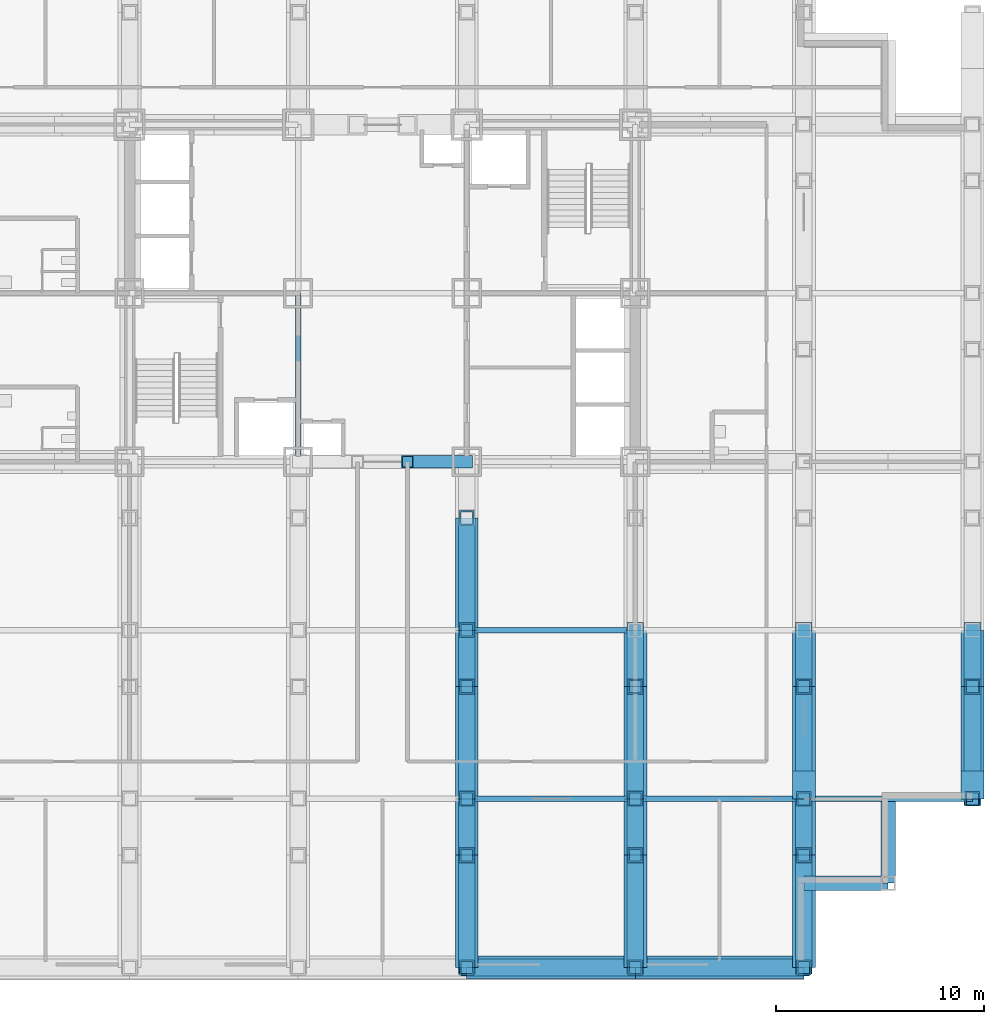
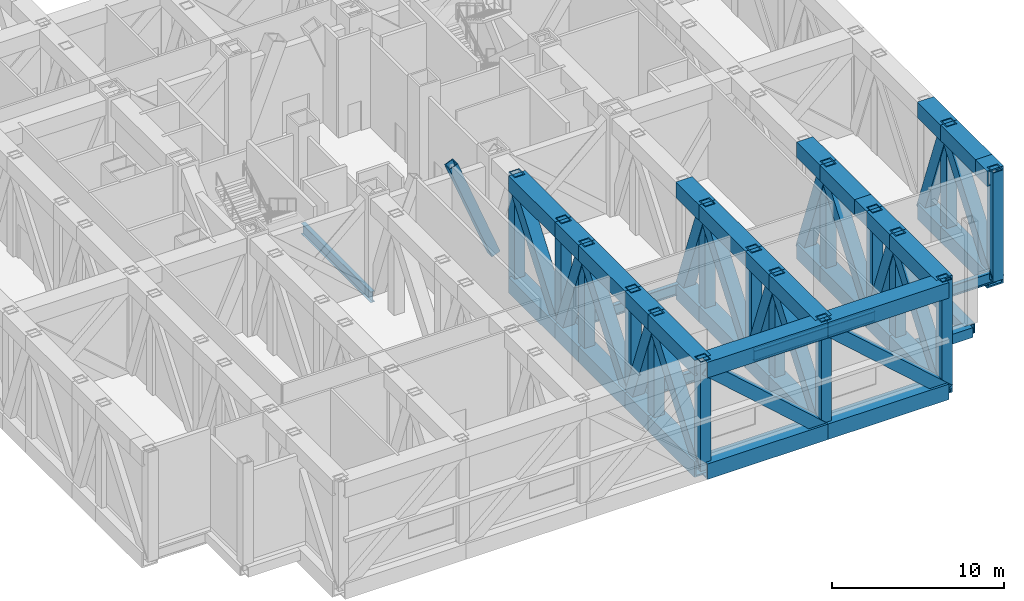
# One storey, part 3 of 13: 70 members, 7 beams.
"""IFC4 building model written with IfcOpenShell, lengths in metres."""

from ifc_helpers import new_model, si_unit, direction, frame, origin, origin_2d, place, context, subcontext, project, spatial, hollow_rectangle, i_section, extrude, material, material_profile, profile_set, type_object, element, save


model = new_model("IFC4")

# Units and contexts
model_context = context("Model", 3, precision=1e-05, world=origin(), true_north=direction((0.0, 1.0)))
body_context = subcontext(model_context, "Body", "Model", "MODEL_VIEW")
ifc_project = project(units=[si_unit("LENGTHUNIT", "METRE"), si_unit("AREAUNIT", "SQUARE_METRE"), si_unit("VOLUMEUNIT", "CUBIC_METRE"), si_unit("PLANEANGLEUNIT", "RADIAN"), si_unit("MASSUNIT", "GRAM", prefix="KILO")], contexts=[model_context])

# Site, building, storey
site_placement = place(None, origin())
site = spatial("IfcSite", under=ifc_project, at=site_placement, CompositionType="ELEMENT")
building_placement = place(site_placement, origin())
building = spatial("IfcBuilding", under=site, at=building_placement, Name="Kopane Lantern Tower", CompositionType="ELEMENT")
storey_placement = place(building_placement, frame((0.0, 0.0, 90.800048828125)))
storey = spatial("IfcBuildingStorey", under=building, at=storey_placement, Name="L23", CompositionType="ELEMENT", Elevation=90.800048828125)

# Member
ifc_material_1 = material(Name="Steel S355JR", Category="steel")
ifc_material_profile_1 = material_profile(ifc_material_1, hollow_rectangle(XDim=0.60009765625, YDim=0.60009765625, WallThickness=0.050048828125, at=origin_2d()), Name="BOX 600x600x50")
ifc_profile_set_1 = profile_set([ifc_material_profile_1], Name="Steel S355JR")
member_type_1 = type_object("IfcMemberType", Name="BRACE BOX 600x600x50", PredefinedType="BRACE", material=ifc_profile_set_1)
member_1_placement = place(storey_placement, frame((32.39990234375, 24.300048828125, -0.25), z_axis=(-0.368034254187, 0.0, 0.929812232521), x_axis=(0.0, -1.0, 0.0)))
element("IfcMember", 1, at=member_1_placement, inside=storey, type_object=member_type_1, Name="Core brace L23", PredefinedType="BRACE", context=body_context, shape_type="SweptSolid", body=[
    extrude(hollow_rectangle(XDim=0.60009765625, YDim=0.60009765625, WallThickness=0.050048828125, at=origin_2d()), origin(), (0.0, 0.0, 1.0), 7.743408203125),
])

# Beams
ifc_material_2 = material(Name="Steel S355JR", Category="steel")
ifc_material_profile_2 = material_profile(ifc_material_2, i_section(OverallWidth=0.2666015625, OverallDepth=0.76220703125, WebThickness=0.014404296875, FlangeThickness=0.021484375, FilletRadius=0.0166015625, at=origin_2d()), Name="UB 762x267x173")
ifc_profile_set_2 = profile_set([ifc_material_profile_2], Name="Steel S355JR")
beam_type_1 = type_object("IfcBeamType", Name="CORE BEAM UB 762x267x173", PredefinedType="BEAM", material=ifc_profile_set_2)
beam_1_placement = place(storey_placement, frame((24.300048828125, 24.300048828125, -0.631103515625), z_axis=(0.0, 1.0, 0.0), x_axis=(-1.0, 0.0, 0.0)))
element("IfcBeam", 2, at=beam_1_placement, inside=storey, type_object=beam_type_1, Name="Core Beam L23", PredefinedType="BEAM", context=body_context, shape_type="SweptSolid", body=[
    extrude(i_section(OverallWidth=0.2666015625, OverallDepth=0.76220703125, WebThickness=0.014404296875, FlangeThickness=0.021484375, FilletRadius=0.0166015625, at=origin_2d()), origin(), (0.0, 0.0, 1.0), 8.099853515625),
])
ifc_material_3 = material(Name="Steel S355JR", Category="steel")
ifc_material_profile_3 = material_profile(ifc_material_3, hollow_rectangle(XDim=0.699951171875, YDim=0.699951171875, WallThickness=0.06005859375, at=origin_2d()), Name="BOX 700x700x60")
ifc_profile_set_3 = profile_set([ifc_material_profile_3], Name="Steel S355JR")
beam_type_2 = type_object("IfcBeamType", Name="EDGE BEAM BOX 700x700x60", PredefinedType="BEAM", material=ifc_profile_set_3)
beam_2_placement = place(storey_placement, frame((52.64990234375, 4.050048828125, -0.60009765625), z_axis=(-1.0, 0.0, 0.0), x_axis=(0.0, -1.0, 0.0)))
element("IfcBeam", 3, at=beam_2_placement, inside=storey, type_object=beam_type_2, Name="Edge Beam L23", PredefinedType="BEAM", context=body_context, shape_type="SweptSolid", body=[
    extrude(hollow_rectangle(XDim=0.699951171875, YDim=0.699951171875, WallThickness=0.06005859375, at=origin_2d()), origin(), (0.0, 0.0, 1.0), 4.0498046875),
])
beam_3_placement = place(storey_placement, frame((52.64990234375, 4.050048828125, -0.60009765625), z_axis=(0.0, 1.0, 0.0), x_axis=(-1.0, 0.0, 0.0)))
element("IfcBeam", 4, at=beam_3_placement, inside=storey, type_object=beam_type_2, Name="Edge Beam L23", PredefinedType="BEAM", context=body_context, shape_type="SweptSolid", body=[
    extrude(hollow_rectangle(XDim=0.699951171875, YDim=0.699951171875, WallThickness=0.06005859375, at=origin_2d()), origin(), (0.0, 0.0, 1.0), 4.050048828125),
])
ifc_material_4 = material(Name="Steel S355JR", Category="steel")
ifc_material_profile_4 = material_profile(ifc_material_4, i_section(OverallWidth=0.2666015625, OverallDepth=0.76220703125, WebThickness=0.014404296875, FlangeThickness=0.021484375, FilletRadius=0.0166015625, at=origin_2d()), Name="UB 762x267x173")
ifc_profile_set_4 = profile_set([ifc_material_profile_4], Name="Steel S355JR")
beam_type_3 = type_object("IfcBeamType", Name="GIRDER UB 762x267x173", PredefinedType="BEAM", material=ifc_profile_set_4)
for number, where, z_axis, x_axis, name in (
    (5, (32.39990234375, 8.10009765625, -0.631103515625), (1.0, 0.0, 0.0), (0.0, 1.0, 0.0), "Girder L23"),
    (6, (32.39990234375, 16.199951171875, -0.631103515625), (1.0, 0.0, 0.0), (0.0, 1.0, 0.0), "Girder L23"),
    (7, (40.5, 8.10009765625, -0.631103515625), (1.0, 0.0, 0.0), (0.0, 1.0, 0.0), "Girder L23"),
):
    element("IfcBeam", number, at=place(storey_placement, frame(where, z_axis=z_axis, x_axis=x_axis)), inside=storey, type_object=beam_type_3, Name=name, PredefinedType="BEAM", context=body_context, shape_type="SweptSolid", body=[
        extrude(i_section(OverallWidth=0.2666015625, OverallDepth=0.76220703125, WebThickness=0.014404296875, FlangeThickness=0.021484375, FilletRadius=0.0166015625, at=origin_2d()), origin(), (0.0, 0.0, 1.0), 8.10009765625),
    ])
beam_4_placement = place(storey_placement, frame((48.60009765625, 8.10009765625, -0.631103515625), z_axis=(1.0, 0.0, 0.0), x_axis=(0.0, 1.0, 0.0)))
element("IfcBeam", 8, at=beam_4_placement, inside=storey, type_object=beam_type_3, Name="Girder L23", PredefinedType="BEAM", context=body_context, shape_type="SweptSolid", body=[
    extrude(i_section(OverallWidth=0.2666015625, OverallDepth=0.76220703125, WebThickness=0.014404296875, FlangeThickness=0.021484375, FilletRadius=0.0166015625, at=origin_2d()), origin(), (0.0, 0.0, 1.0), 8.099853515625),
])

# Members
ifc_material_5 = material(Name="Steel S355JR", Category="steel")
ifc_material_profile_5 = material_profile(ifc_material_5, hollow_rectangle(XDim=1.10009765625, YDim=1.10009765625, WallThickness=0.10009765625, at=origin_2d()), Name="BOX 1100x1100x100")
ifc_profile_set_5 = profile_set([ifc_material_profile_5], Name="Steel S355JR")
member_type_2 = type_object("IfcMemberType", Name="TRUSS CHORD BOX 1100x1100x100", PredefinedType="CHORD", material=ifc_profile_set_5)
member_2_placement = place(storey_placement, frame((32.39990234375, 0.0, -0.800048828125), z_axis=(0.0, 1.0, 0.0), x_axis=(-1.0, 0.0, 0.0)))
element("IfcMember", 9, at=member_2_placement, inside=storey, type_object=member_type_2, Name="Transfer truss 6 L23 truss chord", PredefinedType="CHORD", context=body_context, shape_type="SweptSolid", body=[
    extrude(hollow_rectangle(XDim=1.10009765625, YDim=1.10009765625, WallThickness=0.10009765625, at=origin_2d()), origin(), (0.0, 0.0, 1.0), 5.39990234375),
])
member_3_placement = place(storey_placement, frame((32.39990234375, 5.39990234375, -0.800048828125), z_axis=(0.0, 1.0, 0.0), x_axis=(-1.0, 0.0, 0.0)))
element("IfcMember", 10, at=member_3_placement, inside=storey, type_object=member_type_2, Name="Transfer truss 6 L23 truss chord", PredefinedType="CHORD", context=body_context, shape_type="SweptSolid", body=[
    extrude(hollow_rectangle(XDim=1.10009765625, YDim=1.10009765625, WallThickness=0.10009765625, at=origin_2d()), origin(), (0.0, 0.0, 1.0), 2.7001953125),
])
member_4_placement = place(storey_placement, frame((32.39990234375, 8.10009765625, -0.800048828125), z_axis=(0.0, 1.0, 0.0), x_axis=(-1.0, 0.0, 0.0)))
element("IfcMember", 11, at=member_4_placement, inside=storey, type_object=member_type_2, Name="Transfer truss 6 L23 truss chord", PredefinedType="CHORD", context=body_context, shape_type="SweptSolid", body=[
    extrude(hollow_rectangle(XDim=1.10009765625, YDim=1.10009765625, WallThickness=0.10009765625, at=origin_2d()), origin(), (0.0, 0.0, 1.0), 5.39990234375),
])
member_5_placement = place(storey_placement, frame((32.39990234375, 13.5, -0.800048828125), z_axis=(0.0, 1.0, 0.0), x_axis=(-1.0, 0.0, 0.0)))
element("IfcMember", 12, at=member_5_placement, inside=storey, type_object=member_type_2, Name="Transfer truss 6 L23 truss chord", PredefinedType="CHORD", context=body_context, shape_type="SweptSolid", body=[
    extrude(hollow_rectangle(XDim=1.10009765625, YDim=1.10009765625, WallThickness=0.10009765625, at=origin_2d()), origin(), (0.0, 0.0, 1.0), 2.699951171875),
])
member_6_placement = place(storey_placement, frame((32.39990234375, 16.199951171875, -0.800048828125), z_axis=(0.0, 1.0, 0.0), x_axis=(-1.0, 0.0, 0.0)))
element("IfcMember", 13, at=member_6_placement, inside=storey, type_object=member_type_2, Name="Transfer truss 6 L23 truss chord", PredefinedType="CHORD", context=body_context, shape_type="SweptSolid", body=[
    extrude(hollow_rectangle(XDim=1.10009765625, YDim=1.10009765625, WallThickness=0.10009765625, at=origin_2d()), origin(), (0.0, 0.0, 1.0), 5.400146484375),
])
member_7_placement = place(storey_placement, frame((32.39990234375, 0.0, 6.39990234375), z_axis=(0.0, 1.0, 0.0), x_axis=(-1.0, 0.0, 0.0)))
element("IfcMember", 14, at=member_7_placement, inside=storey, type_object=member_type_2, Name="Transfer truss 6 L23 truss chord", PredefinedType="CHORD", context=body_context, shape_type="SweptSolid", body=[
    extrude(hollow_rectangle(XDim=1.10009765625, YDim=1.10009765625, WallThickness=0.10009765625, at=origin_2d()), origin(), (0.0, 0.0, 1.0), 5.39990234375),
])
member_8_placement = place(storey_placement, frame((32.39990234375, 5.39990234375, 6.39990234375), z_axis=(0.0, 1.0, 0.0), x_axis=(-1.0, 0.0, 0.0)))
element("IfcMember", 15, at=member_8_placement, inside=storey, type_object=member_type_2, Name="Transfer truss 6 L23 truss chord", PredefinedType="CHORD", context=body_context, shape_type="SweptSolid", body=[
    extrude(hollow_rectangle(XDim=1.10009765625, YDim=1.10009765625, WallThickness=0.10009765625, at=origin_2d()), origin(), (0.0, 0.0, 1.0), 2.7001953125),
])
member_9_placement = place(storey_placement, frame((32.39990234375, 8.10009765625, 6.39990234375), z_axis=(0.0, 1.0, 0.0), x_axis=(-1.0, 0.0, 0.0)))
element("IfcMember", 16, at=member_9_placement, inside=storey, type_object=member_type_2, Name="Transfer truss 6 L23 truss chord", PredefinedType="CHORD", context=body_context, shape_type="SweptSolid", body=[
    extrude(hollow_rectangle(XDim=1.10009765625, YDim=1.10009765625, WallThickness=0.10009765625, at=origin_2d()), origin(), (0.0, 0.0, 1.0), 5.39990234375),
])
member_10_placement = place(storey_placement, frame((32.39990234375, 13.5, 6.39990234375), z_axis=(0.0, 1.0, 0.0), x_axis=(-1.0, 0.0, 0.0)))
element("IfcMember", 17, at=member_10_placement, inside=storey, type_object=member_type_2, Name="Transfer truss 6 L23 truss chord", PredefinedType="CHORD", context=body_context, shape_type="SweptSolid", body=[
    extrude(hollow_rectangle(XDim=1.10009765625, YDim=1.10009765625, WallThickness=0.10009765625, at=origin_2d()), origin(), (0.0, 0.0, 1.0), 2.699951171875),
])
member_11_placement = place(storey_placement, frame((32.39990234375, 16.199951171875, 6.39990234375), z_axis=(0.0, 1.0, 0.0), x_axis=(-1.0, 0.0, 0.0)))
element("IfcMember", 18, at=member_11_placement, inside=storey, type_object=member_type_2, Name="Transfer truss 6 L23 truss chord", PredefinedType="CHORD", context=body_context, shape_type="SweptSolid", body=[
    extrude(hollow_rectangle(XDim=1.10009765625, YDim=1.10009765625, WallThickness=0.10009765625, at=origin_2d()), origin(), (0.0, 0.0, 1.0), 5.400146484375),
])
member_12_placement = place(storey_placement, frame((40.5, 0.0, -0.800048828125), z_axis=(0.0, 1.0, 0.0), x_axis=(-1.0, 0.0, 0.0)))
element("IfcMember", 19, at=member_12_placement, inside=storey, type_object=member_type_2, Name="Transfer truss 7 L23 truss chord", PredefinedType="CHORD", context=body_context, shape_type="SweptSolid", body=[
    extrude(hollow_rectangle(XDim=1.10009765625, YDim=1.10009765625, WallThickness=0.10009765625, at=origin_2d()), origin(), (0.0, 0.0, 1.0), 5.39990234375),
])
member_13_placement = place(storey_placement, frame((40.5, 5.39990234375, -0.800048828125), z_axis=(0.0, 1.0, 0.0), x_axis=(-1.0, 0.0, 0.0)))
element("IfcMember", 20, at=member_13_placement, inside=storey, type_object=member_type_2, Name="Transfer truss 7 L23 truss chord", PredefinedType="CHORD", context=body_context, shape_type="SweptSolid", body=[
    extrude(hollow_rectangle(XDim=1.10009765625, YDim=1.10009765625, WallThickness=0.10009765625, at=origin_2d()), origin(), (0.0, 0.0, 1.0), 2.7001953125),
])
member_14_placement = place(storey_placement, frame((40.5, 8.10009765625, -0.800048828125), z_axis=(0.0, 1.0, 0.0), x_axis=(-1.0, 0.0, 0.0)))
element("IfcMember", 21, at=member_14_placement, inside=storey, type_object=member_type_2, Name="Transfer truss 7 L23 truss chord", PredefinedType="CHORD", context=body_context, shape_type="SweptSolid", body=[
    extrude(hollow_rectangle(XDim=1.10009765625, YDim=1.10009765625, WallThickness=0.10009765625, at=origin_2d()), origin(), (0.0, 0.0, 1.0), 5.39990234375),
])
member_15_placement = place(storey_placement, frame((40.5, 13.5, -0.800048828125), z_axis=(0.0, 1.0, 0.0), x_axis=(-1.0, 0.0, 0.0)))
element("IfcMember", 22, at=member_15_placement, inside=storey, type_object=member_type_2, Name="Transfer truss 7 L23 truss chord", PredefinedType="CHORD", context=body_context, shape_type="SweptSolid", body=[
    extrude(hollow_rectangle(XDim=1.10009765625, YDim=1.10009765625, WallThickness=0.10009765625, at=origin_2d()), origin(), (0.0, 0.0, 1.0), 2.699951171875),
])
member_16_placement = place(storey_placement, frame((40.5, 0.0, 6.39990234375), z_axis=(0.0, 1.0, 0.0), x_axis=(-1.0, 0.0, 0.0)))
element("IfcMember", 23, at=member_16_placement, inside=storey, type_object=member_type_2, Name="Transfer truss 7 L23 truss chord", PredefinedType="CHORD", context=body_context, shape_type="SweptSolid", body=[
    extrude(hollow_rectangle(XDim=1.10009765625, YDim=1.10009765625, WallThickness=0.10009765625, at=origin_2d()), origin(), (0.0, 0.0, 1.0), 5.39990234375),
])
member_17_placement = place(storey_placement, frame((40.5, 5.39990234375, 6.39990234375), z_axis=(0.0, 1.0, 0.0), x_axis=(-1.0, 0.0, 0.0)))
element("IfcMember", 24, at=member_17_placement, inside=storey, type_object=member_type_2, Name="Transfer truss 7 L23 truss chord", PredefinedType="CHORD", context=body_context, shape_type="SweptSolid", body=[
    extrude(hollow_rectangle(XDim=1.10009765625, YDim=1.10009765625, WallThickness=0.10009765625, at=origin_2d()), origin(), (0.0, 0.0, 1.0), 2.7001953125),
])
member_18_placement = place(storey_placement, frame((40.5, 8.10009765625, 6.39990234375), z_axis=(0.0, 1.0, 0.0), x_axis=(-1.0, 0.0, 0.0)))
element("IfcMember", 25, at=member_18_placement, inside=storey, type_object=member_type_2, Name="Transfer truss 7 L23 truss chord", PredefinedType="CHORD", context=body_context, shape_type="SweptSolid", body=[
    extrude(hollow_rectangle(XDim=1.10009765625, YDim=1.10009765625, WallThickness=0.10009765625, at=origin_2d()), origin(), (0.0, 0.0, 1.0), 5.39990234375),
])
member_19_placement = place(storey_placement, frame((40.5, 13.5, 6.39990234375), z_axis=(0.0, 1.0, 0.0), x_axis=(-1.0, 0.0, 0.0)))
element("IfcMember", 26, at=member_19_placement, inside=storey, type_object=member_type_2, Name="Transfer truss 7 L23 truss chord", PredefinedType="CHORD", context=body_context, shape_type="SweptSolid", body=[
    extrude(hollow_rectangle(XDim=1.10009765625, YDim=1.10009765625, WallThickness=0.10009765625, at=origin_2d()), origin(), (0.0, 0.0, 1.0), 2.699951171875),
])
member_20_placement = place(storey_placement, frame((48.60009765625, 0.0, -0.800048828125), z_axis=(0.0, 1.0, 0.0), x_axis=(-1.0, 0.0, 0.0)))
element("IfcMember", 27, at=member_20_placement, inside=storey, type_object=member_type_2, Name="Transfer truss 8 L23 truss chord", PredefinedType="CHORD", context=body_context, shape_type="SweptSolid", body=[
    extrude(hollow_rectangle(XDim=1.10009765625, YDim=1.10009765625, WallThickness=0.10009765625, at=origin_2d()), origin(), (0.0, 0.0, 1.0), 5.39990234375),
])
member_21_placement = place(storey_placement, frame((48.60009765625, 5.39990234375, -0.800048828125), z_axis=(0.0, 1.0, 0.0), x_axis=(-1.0, 0.0, 0.0)))
element("IfcMember", 28, at=member_21_placement, inside=storey, type_object=member_type_2, Name="Transfer truss 8 L23 truss chord", PredefinedType="CHORD", context=body_context, shape_type="SweptSolid", body=[
    extrude(hollow_rectangle(XDim=1.10009765625, YDim=1.10009765625, WallThickness=0.10009765625, at=origin_2d()), origin(), (0.0, 0.0, 1.0), 2.7001953125),
])
member_22_placement = place(storey_placement, frame((48.60009765625, 8.10009765625, -0.800048828125), z_axis=(0.0, 1.0, 0.0), x_axis=(-1.0, 0.0, 0.0)))
element("IfcMember", 29, at=member_22_placement, inside=storey, type_object=member_type_2, Name="Transfer truss 8 L23 truss chord", PredefinedType="CHORD", context=body_context, shape_type="SweptSolid", body=[
    extrude(hollow_rectangle(XDim=1.10009765625, YDim=1.10009765625, WallThickness=0.10009765625, at=origin_2d()), origin(), (0.0, 0.0, 1.0), 5.39990234375),
])
member_23_placement = place(storey_placement, frame((48.60009765625, 13.5, -0.800048828125), z_axis=(0.0, 1.0, 0.0), x_axis=(-1.0, 0.0, 0.0)))
element("IfcMember", 30, at=member_23_placement, inside=storey, type_object=member_type_2, Name="Transfer truss 8 L23 truss chord", PredefinedType="CHORD", context=body_context, shape_type="SweptSolid", body=[
    extrude(hollow_rectangle(XDim=1.10009765625, YDim=1.10009765625, WallThickness=0.10009765625, at=origin_2d()), origin(), (0.0, 0.0, 1.0), 2.699951171875),
])
member_24_placement = place(storey_placement, frame((48.60009765625, 0.0, 6.39990234375), z_axis=(0.0, 1.0, 0.0), x_axis=(-1.0, 0.0, 0.0)))
element("IfcMember", 31, at=member_24_placement, inside=storey, type_object=member_type_2, Name="Transfer truss 8 L23 truss chord", PredefinedType="CHORD", context=body_context, shape_type="SweptSolid", body=[
    extrude(hollow_rectangle(XDim=1.10009765625, YDim=1.10009765625, WallThickness=0.10009765625, at=origin_2d()), origin(), (0.0, 0.0, 1.0), 5.39990234375),
])
member_25_placement = place(storey_placement, frame((48.60009765625, 5.39990234375, 6.39990234375), z_axis=(0.0, 1.0, 0.0), x_axis=(-1.0, 0.0, 0.0)))
element("IfcMember", 32, at=member_25_placement, inside=storey, type_object=member_type_2, Name="Transfer truss 8 L23 truss chord", PredefinedType="CHORD", context=body_context, shape_type="SweptSolid", body=[
    extrude(hollow_rectangle(XDim=1.10009765625, YDim=1.10009765625, WallThickness=0.10009765625, at=origin_2d()), origin(), (0.0, 0.0, 1.0), 2.7001953125),
])
member_26_placement = place(storey_placement, frame((48.60009765625, 8.10009765625, 6.39990234375), z_axis=(0.0, 1.0, 0.0), x_axis=(-1.0, 0.0, 0.0)))
element("IfcMember", 33, at=member_26_placement, inside=storey, type_object=member_type_2, Name="Transfer truss 8 L23 truss chord", PredefinedType="CHORD", context=body_context, shape_type="SweptSolid", body=[
    extrude(hollow_rectangle(XDim=1.10009765625, YDim=1.10009765625, WallThickness=0.10009765625, at=origin_2d()), origin(), (0.0, 0.0, 1.0), 1.349853515625),
])
member_27_placement = place(storey_placement, frame((48.60009765625, 9.449951171875, 6.39990234375), z_axis=(0.0, 1.0, 0.0), x_axis=(-1.0, 0.0, 0.0)))
element("IfcMember", 34, at=member_27_placement, inside=storey, type_object=member_type_2, Name="Transfer truss 8 L23 truss chord", PredefinedType="CHORD", context=body_context, shape_type="SweptSolid", body=[
    extrude(hollow_rectangle(XDim=1.10009765625, YDim=1.10009765625, WallThickness=0.10009765625, at=origin_2d()), origin(), (0.0, 0.0, 1.0), 4.050048828125),
])
member_28_placement = place(storey_placement, frame((48.60009765625, 13.5, 6.39990234375), z_axis=(0.0, 1.0, 0.0), x_axis=(-1.0, 0.0, 0.0)))
element("IfcMember", 35, at=member_28_placement, inside=storey, type_object=member_type_2, Name="Transfer truss 8 L23 truss chord", PredefinedType="CHORD", context=body_context, shape_type="SweptSolid", body=[
    extrude(hollow_rectangle(XDim=1.10009765625, YDim=1.10009765625, WallThickness=0.10009765625, at=origin_2d()), origin(), (0.0, 0.0, 1.0), 2.699951171875),
])
member_29_placement = place(storey_placement, frame((56.699951171875, 8.10009765625, -0.800048828125), z_axis=(0.0, 1.0, 0.0), x_axis=(-1.0, 0.0, 0.0)))
element("IfcMember", 36, at=member_29_placement, inside=storey, type_object=member_type_2, Name="Transfer truss 9 L23 truss chord", PredefinedType="CHORD", context=body_context, shape_type="SweptSolid", body=[
    extrude(hollow_rectangle(XDim=1.10009765625, YDim=1.10009765625, WallThickness=0.10009765625, at=origin_2d()), origin(), (0.0, 0.0, 1.0), 5.39990234375),
])
member_30_placement = place(storey_placement, frame((56.699951171875, 13.5, -0.800048828125), z_axis=(0.0, 1.0, 0.0), x_axis=(-1.0, 0.0, 0.0)))
element("IfcMember", 37, at=member_30_placement, inside=storey, type_object=member_type_2, Name="Transfer truss 9 L23 truss chord", PredefinedType="CHORD", context=body_context, shape_type="SweptSolid", body=[
    extrude(hollow_rectangle(XDim=1.10009765625, YDim=1.10009765625, WallThickness=0.10009765625, at=origin_2d()), origin(), (0.0, 0.0, 1.0), 2.699951171875),
])
member_31_placement = place(storey_placement, frame((56.699951171875, 8.10009765625, 6.39990234375), z_axis=(0.0, 1.0, 0.0), x_axis=(-1.0, 0.0, 0.0)))
element("IfcMember", 38, at=member_31_placement, inside=storey, type_object=member_type_2, Name="Transfer truss 9 L23 truss chord", PredefinedType="CHORD", context=body_context, shape_type="SweptSolid", body=[
    extrude(hollow_rectangle(XDim=1.10009765625, YDim=1.10009765625, WallThickness=0.10009765625, at=origin_2d()), origin(), (0.0, 0.0, 1.0), 1.349853515625),
])
member_32_placement = place(storey_placement, frame((56.699951171875, 9.449951171875, 6.39990234375), z_axis=(0.0, 1.0, 0.0), x_axis=(-1.0, 0.0, 0.0)))
element("IfcMember", 39, at=member_32_placement, inside=storey, type_object=member_type_2, Name="Transfer truss 9 L23 truss chord", PredefinedType="CHORD", context=body_context, shape_type="SweptSolid", body=[
    extrude(hollow_rectangle(XDim=1.10009765625, YDim=1.10009765625, WallThickness=0.10009765625, at=origin_2d()), origin(), (0.0, 0.0, 1.0), 4.050048828125),
])
member_33_placement = place(storey_placement, frame((56.699951171875, 13.5, 6.39990234375), z_axis=(0.0, 1.0, 0.0), x_axis=(-1.0, 0.0, 0.0)))
element("IfcMember", 40, at=member_33_placement, inside=storey, type_object=member_type_2, Name="Transfer truss 9 L23 truss chord", PredefinedType="CHORD", context=body_context, shape_type="SweptSolid", body=[
    extrude(hollow_rectangle(XDim=1.10009765625, YDim=1.10009765625, WallThickness=0.10009765625, at=origin_2d()), origin(), (0.0, 0.0, 1.0), 2.699951171875),
])
for number, where, z_axis, x_axis, name in (
    (41, (32.39990234375, 0.0, -0.800048828125), (1.0, 0.0, 0.0), (0.0, 1.0, 0.0), "Belt truss S L23 truss chord"),
    (42, (32.39990234375, 0.0, 6.39990234375), (1.0, 0.0, 0.0), (0.0, 1.0, 0.0), "Belt truss S L23 truss chord"),
    (43, (40.5, 0.0, -0.800048828125), (1.0, 0.0, 0.0), (0.0, 1.0, 0.0), "Belt truss S L23 truss chord"),
    (44, (40.5, 0.0, 6.39990234375), (1.0, 0.0, 0.0), (0.0, 1.0, 0.0), "Belt truss S L23 truss chord"),
):
    element("IfcMember", number, at=place(storey_placement, frame(where, z_axis=z_axis, x_axis=x_axis)), inside=storey, type_object=member_type_2, Name=name, PredefinedType="CHORD", context=body_context, shape_type="SweptSolid", body=[
        extrude(hollow_rectangle(XDim=1.10009765625, YDim=1.10009765625, WallThickness=0.10009765625, at=origin_2d()), origin(), (0.0, 0.0, 1.0), 8.10009765625),
    ])
ifc_material_6 = material(Name="Steel S355JR", Category="steel")
ifc_material_profile_6 = material_profile(ifc_material_6, hollow_rectangle(XDim=0.800048828125, YDim=0.800048828125, WallThickness=0.080078125, at=origin_2d()), Name="BOX 800x800x80")
ifc_profile_set_6 = profile_set([ifc_material_profile_6], Name="Steel S355JR")
member_type_3 = type_object("IfcMemberType", Name="TRUSS DIAGONAL BOX 800x800x80", PredefinedType="BRACE", material=ifc_profile_set_6)
member_34_placement = place(storey_placement, frame((32.39990234375, 0.0, -0.800048828125), z_axis=(0.0, 0.599995659666, 0.800003255232), x_axis=(-1.0, 0.0, 0.0)))
element("IfcMember", 45, at=member_34_placement, inside=storey, type_object=member_type_3, Name="Transfer truss 6 L23 truss diagonal", PredefinedType="BRACE", context=body_context, shape_type="SweptSolid", body=[
    extrude(hollow_rectangle(XDim=0.800048828125, YDim=0.800048828125, WallThickness=0.080078125, at=origin_2d()), origin(), (0.0, 0.0, 1.0), 9.0),
])
member_35_placement = place(storey_placement, frame((32.39990234375, 8.10009765625, -0.800048828125), z_axis=(0.0, -0.351147797134, 0.936320043878), x_axis=(1.0, 0.0, 0.0)))
element("IfcMember", 46, at=member_35_placement, inside=storey, type_object=member_type_3, Name="Transfer truss 6 L23 truss diagonal", PredefinedType="BRACE", context=body_context, shape_type="SweptSolid", body=[
    extrude(hollow_rectangle(XDim=0.800048828125, YDim=0.800048828125, WallThickness=0.080078125, at=origin_2d()), origin(), (0.0, 0.0, 1.0), 7.689697265625),
])
member_36_placement = place(storey_placement, frame((32.39990234375, 8.10009765625, -0.800048828125), z_axis=(0.0, 0.599995659666, 0.800003255232), x_axis=(-1.0, 0.0, 0.0)))
element("IfcMember", 47, at=member_36_placement, inside=storey, type_object=member_type_3, Name="Transfer truss 6 L23 truss diagonal", PredefinedType="BRACE", context=body_context, shape_type="SweptSolid", body=[
    extrude(hollow_rectangle(XDim=0.800048828125, YDim=0.800048828125, WallThickness=0.080078125, at=origin_2d()), origin(), (0.0, 0.0, 1.0), 9.0),
])
member_37_placement = place(storey_placement, frame((32.39990234375, 16.199951171875, -0.800048828125), z_axis=(0.0, -0.351119962166, 0.936330482345), x_axis=(1.0, 0.0, 0.0)))
element("IfcMember", 48, at=member_37_placement, inside=storey, type_object=member_type_3, Name="Transfer truss 6 L23 truss diagonal", PredefinedType="BRACE", context=body_context, shape_type="SweptSolid", body=[
    extrude(hollow_rectangle(XDim=0.800048828125, YDim=0.800048828125, WallThickness=0.080078125, at=origin_2d()), origin(), (0.0, 0.0, 1.0), 7.689453125),
])
for number, where, z_axis, x_axis, name in (
    (49, (32.39990234375, 16.199951171875, -0.800048828125), (0.0, 0.600013020683, 0.799990234322), (-1.0, 0.0, 0.0), "Transfer truss 6 L23 truss diagonal"),
    (50, (40.5, 0.0, -0.800048828125), (0.0, 0.599995659666, 0.800003255232), (-1.0, 0.0, 0.0), "Transfer truss 7 L23 truss diagonal"),
):
    element("IfcMember", number, at=place(storey_placement, frame(where, z_axis=z_axis, x_axis=x_axis)), inside=storey, type_object=member_type_3, Name=name, PredefinedType="BRACE", context=body_context, shape_type="SweptSolid", body=[
        extrude(hollow_rectangle(XDim=0.800048828125, YDim=0.800048828125, WallThickness=0.080078125, at=origin_2d()), origin(), (0.0, 0.0, 1.0), 9.0),
    ])
member_38_placement = place(storey_placement, frame((40.5, 8.10009765625, -0.800048828125), z_axis=(0.0, -0.351147797134, 0.936320043878), x_axis=(1.0, 0.0, 0.0)))
element("IfcMember", 51, at=member_38_placement, inside=storey, type_object=member_type_3, Name="Transfer truss 7 L23 truss diagonal", PredefinedType="BRACE", context=body_context, shape_type="SweptSolid", body=[
    extrude(hollow_rectangle(XDim=0.800048828125, YDim=0.800048828125, WallThickness=0.080078125, at=origin_2d()), origin(), (0.0, 0.0, 1.0), 7.689697265625),
])
member_39_placement = place(storey_placement, frame((40.5, 8.10009765625, -0.800048828125), z_axis=(0.0, 0.599995659666, 0.800003255232), x_axis=(-1.0, 0.0, 0.0)))
element("IfcMember", 52, at=member_39_placement, inside=storey, type_object=member_type_3, Name="Transfer truss 7 L23 truss diagonal", PredefinedType="BRACE", context=body_context, shape_type="SweptSolid", body=[
    extrude(hollow_rectangle(XDim=0.800048828125, YDim=0.800048828125, WallThickness=0.080078125, at=origin_2d()), origin(), (0.0, 0.0, 1.0), 9.0),
])
member_40_placement = place(storey_placement, frame((40.5, 16.199951171875, -0.800048828125), z_axis=(0.0, -0.351119962166, 0.936330482345), x_axis=(1.0, 0.0, 0.0)))
element("IfcMember", 53, at=member_40_placement, inside=storey, type_object=member_type_3, Name="Transfer truss 7 L23 truss diagonal", PredefinedType="BRACE", context=body_context, shape_type="SweptSolid", body=[
    extrude(hollow_rectangle(XDim=0.800048828125, YDim=0.800048828125, WallThickness=0.080078125, at=origin_2d()), origin(), (0.0, 0.0, 1.0), 7.689453125),
])
member_41_placement = place(storey_placement, frame((48.60009765625, 0.0, -0.800048828125), z_axis=(0.0, 0.599995659666, 0.800003255232), x_axis=(-1.0, 0.0, 0.0)))
element("IfcMember", 54, at=member_41_placement, inside=storey, type_object=member_type_3, Name="Transfer truss 8 L23 truss diagonal", PredefinedType="BRACE", context=body_context, shape_type="SweptSolid", body=[
    extrude(hollow_rectangle(XDim=0.800048828125, YDim=0.800048828125, WallThickness=0.080078125, at=origin_2d()), origin(), (0.0, 0.0, 1.0), 9.0),
])
member_42_placement = place(storey_placement, frame((48.60009765625, 8.10009765625, -0.800048828125), z_axis=(0.0, -0.351147797134, 0.936320043878), x_axis=(1.0, 0.0, 0.0)))
element("IfcMember", 55, at=member_42_placement, inside=storey, type_object=member_type_3, Name="Transfer truss 8 L23 truss diagonal", PredefinedType="BRACE", context=body_context, shape_type="SweptSolid", body=[
    extrude(hollow_rectangle(XDim=0.800048828125, YDim=0.800048828125, WallThickness=0.080078125, at=origin_2d()), origin(), (0.0, 0.0, 1.0), 7.689697265625),
])
member_43_placement = place(storey_placement, frame((48.60009765625, 8.10009765625, -0.800048828125), z_axis=(0.0, 0.599995659666, 0.800003255232), x_axis=(-1.0, 0.0, 0.0)))
element("IfcMember", 56, at=member_43_placement, inside=storey, type_object=member_type_3, Name="Transfer truss 8 L23 truss diagonal", PredefinedType="BRACE", context=body_context, shape_type="SweptSolid", body=[
    extrude(hollow_rectangle(XDim=0.800048828125, YDim=0.800048828125, WallThickness=0.080078125, at=origin_2d()), origin(), (0.0, 0.0, 1.0), 9.0),
])
member_44_placement = place(storey_placement, frame((48.60009765625, 16.199951171875, -0.800048828125), z_axis=(0.0, -0.351119962166, 0.936330482345), x_axis=(1.0, 0.0, 0.0)))
element("IfcMember", 57, at=member_44_placement, inside=storey, type_object=member_type_3, Name="Transfer truss 8 L23 truss diagonal", PredefinedType="BRACE", context=body_context, shape_type="SweptSolid", body=[
    extrude(hollow_rectangle(XDim=0.800048828125, YDim=0.800048828125, WallThickness=0.080078125, at=origin_2d()), origin(), (0.0, 0.0, 1.0), 7.689453125),
])
member_45_placement = place(storey_placement, frame((56.699951171875, 8.10009765625, -0.800048828125), z_axis=(0.0, 0.599995659666, 0.800003255232), x_axis=(-1.0, 0.0, 0.0)))
element("IfcMember", 58, at=member_45_placement, inside=storey, type_object=member_type_3, Name="Transfer truss 9 L23 truss diagonal", PredefinedType="BRACE", context=body_context, shape_type="SweptSolid", body=[
    extrude(hollow_rectangle(XDim=0.800048828125, YDim=0.800048828125, WallThickness=0.080078125, at=origin_2d()), origin(), (0.0, 0.0, 1.0), 9.0),
])
member_46_placement = place(storey_placement, frame((56.699951171875, 16.199951171875, -0.800048828125), z_axis=(0.0, -0.351119962166, 0.936330482345), x_axis=(1.0, 0.0, 0.0)))
element("IfcMember", 59, at=member_46_placement, inside=storey, type_object=member_type_3, Name="Transfer truss 9 L23 truss diagonal", PredefinedType="BRACE", context=body_context, shape_type="SweptSolid", body=[
    extrude(hollow_rectangle(XDim=0.800048828125, YDim=0.800048828125, WallThickness=0.080078125, at=origin_2d()), origin(), (0.0, 0.0, 1.0), 7.689453125),
])
for number, where, z_axis, x_axis, name in (
    (60, (40.5, 0.0, -0.800048828125), (-0.747415533118, 0.0, 0.664356847525), (0.0, -1.0, 0.0), "Belt truss S L23 truss diagonal"),
    (61, (48.60009765625, 0.0, -0.800048828125), (-0.747415533118, 0.0, 0.664356847525), (0.0, -1.0, 0.0), "Belt truss S L23 truss diagonal"),
):
    element("IfcMember", number, at=place(storey_placement, frame(where, z_axis=z_axis, x_axis=x_axis)), inside=storey, type_object=member_type_3, Name=name, PredefinedType="BRACE", context=body_context, shape_type="SweptSolid", body=[
        extrude(hollow_rectangle(XDim=0.800048828125, YDim=0.800048828125, WallThickness=0.080078125, at=origin_2d()), origin(), (0.0, 0.0, 1.0), 10.83740234375),
    ])
ifc_material_7 = material(Name="Steel S355JR", Category="steel")
ifc_material_profile_7 = material_profile(ifc_material_7, hollow_rectangle(XDim=0.699951171875, YDim=0.699951171875, WallThickness=0.070068359375, at=origin_2d()), Name="BOX 700x700x70")
ifc_profile_set_7 = profile_set([ifc_material_profile_7], Name="Steel S355JR")
member_type_4 = type_object("IfcMemberType", Name="TRUSS POST BOX 700x700x70", PredefinedType="POST", material=ifc_profile_set_7)
for number, where, z_axis, x_axis, name in (
    (62, (32.39990234375, 0.0, -0.800048828125), (0.0, 0.0, 1.0), (1.0, 0.0, 0.0), "Transfer truss 6 L23 truss post"),
    (63, (32.39990234375, 5.39990234375, -0.800048828125), (0.0, 0.0, 1.0), (1.0, 0.0, 0.0), "Transfer truss 6 L23 truss post"),
    (64, (32.39990234375, 8.10009765625, -0.800048828125), (0.0, 0.0, 1.0), (1.0, 0.0, 0.0), "Transfer truss 6 L23 truss post"),
    (65, (32.39990234375, 13.5, -0.800048828125), (0.0, 0.0, 1.0), (1.0, 0.0, 0.0), "Transfer truss 6 L23 truss post"),
    (66, (32.39990234375, 16.199951171875, -0.800048828125), (0.0, 0.0, 1.0), (1.0, 0.0, 0.0), "Transfer truss 6 L23 truss post"),
    (67, (32.39990234375, 21.60009765625, -0.800048828125), (0.0, 0.0, 1.0), (1.0, 0.0, 0.0), "Transfer truss 6 L23 truss post"),
    (68, (40.5, 0.0, -0.800048828125), (0.0, 0.0, 1.0), (1.0, 0.0, 0.0), "Transfer truss 7 L23 truss post"),
    (69, (40.5, 5.39990234375, -0.800048828125), (0.0, 0.0, 1.0), (1.0, 0.0, 0.0), "Transfer truss 7 L23 truss post"),
    (70, (40.5, 8.10009765625, -0.800048828125), (0.0, 0.0, 1.0), (1.0, 0.0, 0.0), "Transfer truss 7 L23 truss post"),
    (71, (40.5, 13.5, -0.800048828125), (0.0, 0.0, 1.0), (1.0, 0.0, 0.0), "Transfer truss 7 L23 truss post"),
    (72, (48.60009765625, 0.0, -0.800048828125), (0.0, 0.0, 1.0), (1.0, 0.0, 0.0), "Transfer truss 8 L23 truss post"),
    (73, (48.60009765625, 5.39990234375, -0.800048828125), (0.0, 0.0, 1.0), (1.0, 0.0, 0.0), "Transfer truss 8 L23 truss post"),
    (74, (48.60009765625, 8.10009765625, -0.800048828125), (0.0, 0.0, 1.0), (1.0, 0.0, 0.0), "Transfer truss 8 L23 truss post"),
    (75, (48.60009765625, 13.5, -0.800048828125), (0.0, 0.0, 1.0), (1.0, 0.0, 0.0), "Transfer truss 8 L23 truss post"),
    (76, (56.699951171875, 8.10009765625, -0.800048828125), (0.0, 0.0, 1.0), (1.0, 0.0, 0.0), "Transfer truss 9 L23 truss post"),
    (77, (56.699951171875, 13.5, -0.800048828125), (0.0, 0.0, 1.0), (1.0, 0.0, 0.0), "Transfer truss 9 L23 truss post"),
):
    element("IfcMember", number, at=place(storey_placement, frame(where, z_axis=z_axis, x_axis=x_axis)), inside=storey, type_object=member_type_4, Name=name, PredefinedType="POST", context=body_context, shape_type="SweptSolid", body=[
        extrude(hollow_rectangle(XDim=0.699951171875, YDim=0.699951171875, WallThickness=0.070068359375, at=origin_2d()), origin(), (0.0, 0.0, 1.0), 7.75),
    ])

save(model, "model.ifc")
